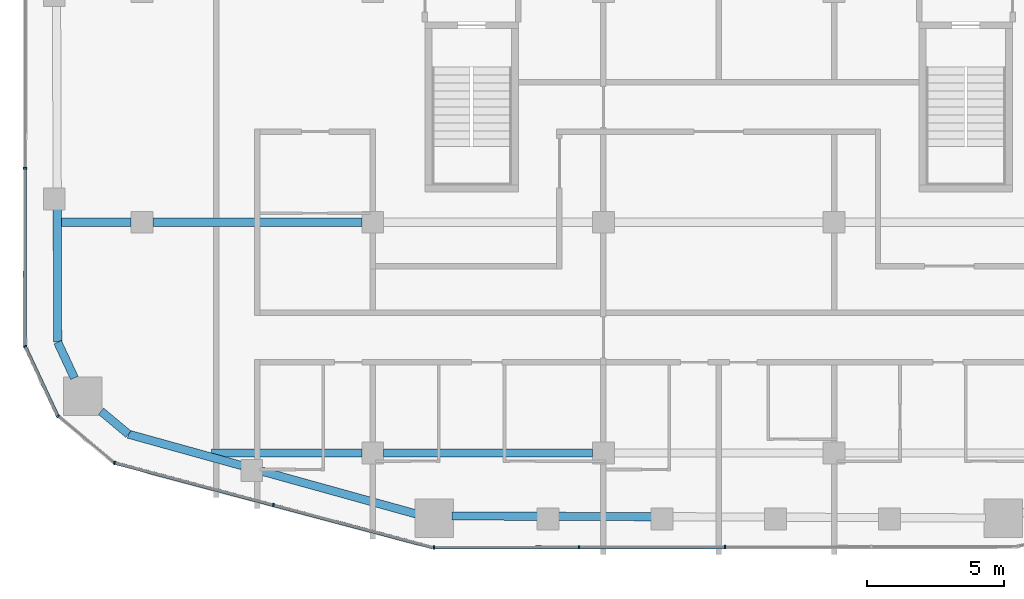
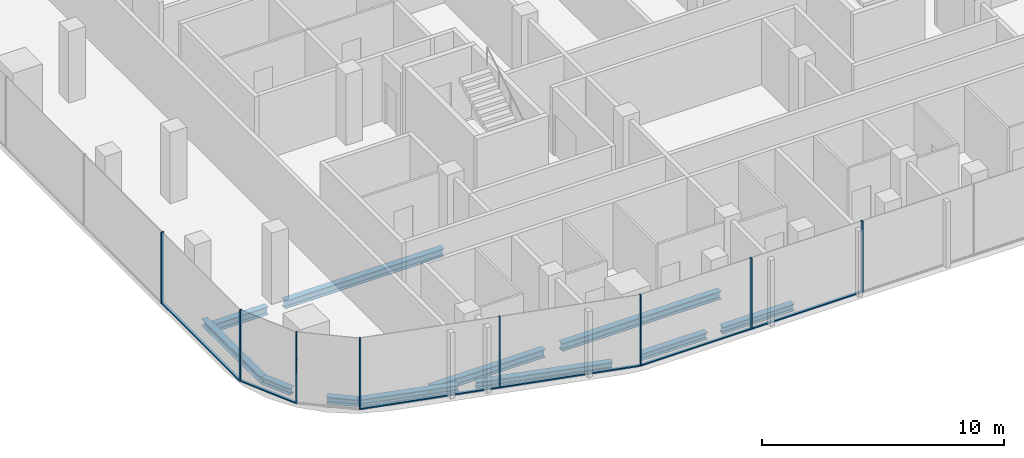
# One storey, part 2 of 20: 14 members, 11 beams, 5 elements without a shape of their own.
"""IFC4 building model written with IfcOpenShell, lengths in metres."""

import ifcopenshell
import ifcopenshell.guid

model = None  # the IFC model being written
_history = None  # IfcOwnerHistory: only IFC2X3 demands one
_inside = {}  # id of a spatial element -> (the spatial element, [elements in it])
_under = {}  # id of a project, library or spatial element -> (it, [spatial elements below it])
_declared = {}  # id of a project -> (the project, [libraries it declares])
_typed = {}  # id of a type object -> (the type object, [elements of that type])
_made_of = {}  # id of a material, layer set ... -> (it, [elements and type objects made of it])


def new_model(schema):
    """Start an empty IFC model of exactly this schema.

    Asked for "IFC4X3", IfcOpenShell would pick the latest addendum, in which some entities
    have other attributes; the version numbers below select the first issue.
    IFC2X3 requires an IfcOwnerHistory on every rooted entity: one is made here for all.
    """
    global model, _history
    if schema == "IFC4X3":
        model = ifcopenshell.file(schema_version=(4, 3, 0, 0))
    else:
        model = ifcopenshell.file(schema=schema)
    _inside.clear()
    _under.clear()
    _declared.clear()
    _typed.clear()
    _made_of.clear()
    _history = None
    if model.schema == "IFC2X3":
        org = make("IfcOrganization", Name="unknown")
        user = make(
            "IfcPersonAndOrganization",
            ThePerson=make("IfcPerson", FamilyName="unknown"),
            TheOrganization=org,
        )
        app = make(
            "IfcApplication",
            ApplicationDeveloper=org,
            Version="unknown",
            ApplicationFullName="unknown",
            ApplicationIdentifier="unknown",
        )
        _history = make(
            "IfcOwnerHistory",
            OwningUser=user,
            OwningApplication=app,
            ChangeAction="ADDED",
            CreationDate=0,
        )
    return model


def make(cls, **values):
    """One entity of the class cls with the attributes given. An attribute that is None is left unset."""
    return model.create_entity(
        cls, **{name: value for name, value in values.items() if value is not None}
    )


def rooted(cls, **values):
    """An entity with a GlobalId (a new one), such as an element, a storey or a relation."""
    return make(cls, GlobalId=ifcopenshell.guid.new(), OwnerHistory=_history, **values)


def si_unit(unit_type, name, prefix=None):
    """IfcSIUnit, for example si_unit("LENGTHUNIT", "METRE", prefix="MILLI")."""
    return make("IfcSIUnit", UnitType=unit_type, Prefix=prefix, Name=name)


def assignment(units):
    """IfcUnitAssignment: the units of a project."""
    return None if units is None else make("IfcUnitAssignment", Units=units)


def point(xyz):
    """IfcCartesianPoint."""
    return None if xyz is None else make("IfcCartesianPoint", Coordinates=xyz)


def direction(xyz):
    """IfcDirection."""
    return None if xyz is None else make("IfcDirection", DirectionRatios=xyz)


def frame(location, z_axis=None, x_axis=None):
    """IfcAxis2Placement3D, a coordinate frame: its origin and axes. An axis left out is left unset."""
    return make(
        "IfcAxis2Placement3D",
        Location=point(location),
        Axis=direction(z_axis),
        RefDirection=direction(x_axis),
    )


def frame_2d(location, x_axis=None):
    """IfcAxis2Placement2D, a coordinate frame in the plane: its origin and x axis."""
    return make(
        "IfcAxis2Placement2D", Location=point(location), RefDirection=direction(x_axis)
    )


def origin():
    """The frame at (0, 0, 0) with its axes left unset."""
    return frame((0.0, 0.0, 0.0))


def origin_2d():
    """The frame at (0, 0) in the plane with its x axis left unset."""
    return frame_2d((0.0, 0.0))


def place(relative_to, where):
    """IfcLocalPlacement: puts the frame where relative to a parent placement (None: the world)."""
    return make(
        "IfcLocalPlacement", PlacementRelTo=relative_to, RelativePlacement=where
    )


def context(
    kind, dimensions, precision=None, world=None, true_north=None, identifier=None
):
    """IfcGeometricRepresentationContext, for example the 3D "Model" context."""
    return make(
        "IfcGeometricRepresentationContext",
        ContextIdentifier=identifier,
        ContextType=kind,
        CoordinateSpaceDimension=dimensions,
        Precision=precision,
        WorldCoordinateSystem=world,
        TrueNorth=true_north,
    )


def subcontext(parent, identifier, kind, view, scale=None):
    """IfcGeometricRepresentationSubContext, for example "Body" below "Model"."""
    return make(
        "IfcGeometricRepresentationSubContext",
        ContextIdentifier=identifier,
        ContextType=kind,
        ParentContext=parent,
        TargetScale=scale,
        TargetView=view,
    )


def project(units=None, contexts=None):
    """IfcProject with its units and contexts."""
    return rooted(
        "IfcProject",
        Name="project",
        RepresentationContexts=contexts,
        UnitsInContext=assignment(units),
    )


def spatial(cls, under=None, at=None, **own):
    """A site, building, storey or space (cls), placed at a placement, below another one or the project."""
    s = rooted(cls, ObjectPlacement=at, **own)
    if under is not None:
        _under.setdefault(under.id(), (under, []))[1].append(s)
    return s


def profile(cls, at=None, kind="AREA", **sizes):
    """A parametric profile (cls). Its sizes go by their IFC names, for example OverallWidth=200.0."""
    return make(cls, ProfileType=kind, Position=at, **sizes)


def rectangle(**sizes):
    """IfcRectangleProfileDef."""
    return profile("IfcRectangleProfileDef", **sizes)


def i_section(**sizes):
    """IfcIShapeProfileDef."""
    return profile("IfcIShapeProfileDef", **sizes)


def extrude(swept, where, along, depth):
    """IfcExtrudedAreaSolid: the profile swept, set in the frame where, extruded along a direction by depth."""
    return make(
        "IfcExtrudedAreaSolid",
        SweptArea=swept,
        Position=where,
        ExtrudedDirection=direction(along),
        Depth=depth,
    )


def shape(context_of_items, identifier, shape_type, items):
    """IfcShapeRepresentation: the items that make up one representation, for example the "Body"."""
    return make(
        "IfcShapeRepresentation",
        ContextOfItems=context_of_items,
        RepresentationIdentifier=identifier,
        RepresentationType=shape_type,
        Items=items,
    )


def material(Name=None, Category=None):
    """IfcMaterial."""
    return make("IfcMaterial", Name=Name, Category=Category)


def layer(
    of_material, thickness, ventilated=None, Name=None, Category=None, Priority=None
):
    """IfcMaterialLayer: one layer of a wall or slab, of a material (None: an air gap)."""
    return make(
        "IfcMaterialLayer",
        Material=of_material,
        LayerThickness=thickness,
        IsVentilated=ventilated,
        Name=Name,
        Category=Category,
        Priority=Priority,
    )


def layer_set(layers, Name=None):
    """IfcMaterialLayerSet."""
    return make("IfcMaterialLayerSet", MaterialLayers=layers, LayerSetName=Name)


def material_profile(
    of_material, cross_section, Name=None, Category=None, Priority=None
):
    """IfcMaterialProfile: a cross section and its material."""
    return make(
        "IfcMaterialProfile",
        Name=Name,
        Material=of_material,
        Profile=cross_section,
        Priority=Priority,
        Category=Category,
    )


def profile_set(profiles, Name=None, composite=None):
    """IfcMaterialProfileSet."""
    return make(
        "IfcMaterialProfileSet",
        Name=Name,
        MaterialProfiles=profiles,
        CompositeProfile=composite,
    )


def made_of(thing, what):
    """Note that an element or type object is made of a material, layer set ...; save() writes the relation."""
    if what is not None:
        _made_of.setdefault(what.id(), (what, []))[1].append(thing)
    return thing


def type_object(cls, material=None, **own):
    """A type object (cls), such as IfcWallType, which elements share."""
    return made_of(rooted(cls, **own), material)


def element(
    cls,
    number,
    at=None,
    inside=None,
    cuts=None,
    type_object=None,
    material=None,
    context=None,
    identifier="Body",
    shape_type=None,
    held_by="IfcProductDefinitionShape",
    body=None,
    shapes=None,
    **own,
):
    """One element of the class cls, such as IfcWall. Its Tag is "e" and its number.

    at: its placement. inside: the storey or other place that contains it. cuts: it is an
    opening in that element (IfcRelVoidsElement). A single representation is given by context,
    identifier, shape_type and body (its items); several are given by shapes. held_by: the class
    of the entity that holds the representations. save() writes the other relations.
    """
    e = rooted(cls, Tag="e%d" % number, ObjectPlacement=at, **own)
    if body is not None:
        shapes = [shape(context, identifier, shape_type, body)]
    if shapes is not None:
        e.Representation = make(held_by, Representations=shapes)
    if inside is not None:
        _inside.setdefault(inside.id(), (inside, []))[1].append(e)
    if cuts is not None:
        rooted(
            "IfcRelVoidsElement", RelatingBuildingElement=cuts, RelatedOpeningElement=e
        )
    if type_object is not None:
        _typed.setdefault(type_object.id(), (type_object, []))[1].append(e)
    return made_of(e, material)


def aggregate(whole, parts):
    """IfcRelAggregates: a whole, such as a stair, and the parts it consists of."""
    return rooted("IfcRelAggregates", RelatingObject=whole, RelatedObjects=parts)


def save(model, path):
    """Write the relations noted so far, then the file.

    IfcRelAggregates (storeys below a building ...), IfcRelContainedInSpatialStructure (elements
    in a storey), IfcRelDefinesByType, IfcRelAssociatesMaterial and IfcRelDeclares: one each for
    every whole, place, type object, material and project.
    """
    for whole, parts in _under.values():
        aggregate(whole, parts)
    for where, things in _inside.values():
        rooted(
            "IfcRelContainedInSpatialStructure",
            RelatedElements=things,
            RelatingStructure=where,
        )
    for kind, things in _typed.values():
        rooted("IfcRelDefinesByType", RelatedObjects=things, RelatingType=kind)
    for what, things in _made_of.values():
        rooted("IfcRelAssociatesMaterial", RelatedObjects=things, RelatingMaterial=what)
    for by, libraries in _declared.values():
        rooted("IfcRelDeclares", RelatingContext=by, RelatedDefinitions=libraries)
    model.write(path)


model = new_model("IFC4")

# Units and contexts
model_context = context("Model", 3, precision=1e-05, world=origin(), true_north=direction((0.0, 1.0)))
body_context = subcontext(model_context, "Body", "Model", "MODEL_VIEW")
ifc_project = project(units=[si_unit("LENGTHUNIT", "METRE"), si_unit("AREAUNIT", "SQUARE_METRE"), si_unit("VOLUMEUNIT", "CUBIC_METRE"), si_unit("PLANEANGLEUNIT", "RADIAN"), si_unit("MASSUNIT", "GRAM", prefix="KILO")], contexts=[model_context])

# Site, building, storey
site_placement = place(None, origin())
site = spatial("IfcSite", under=ifc_project, at=site_placement, CompositionType="ELEMENT")
building_placement = place(site_placement, origin())
building = spatial("IfcBuilding", under=site, at=building_placement, Name="Marenta Gate Hotel Tower", CompositionType="ELEMENT")
storey_placement = place(building_placement, frame((0.0, 0.0, 216.5)))
storey = spatial("IfcBuildingStorey", under=building, at=storey_placement, Name="L50", CompositionType="ELEMENT", Elevation=216.5)

# Beams
ifc_material_1 = material(Name="Steel S355", Category="steel")
ifc_material_profile_1 = material_profile(ifc_material_1, i_section(OverallWidth=0.300048828125, OverallDepth=0.340087890625, WebThickness=0.011962890625, FlangeThickness=0.021484375, FilletRadius=0.027099609375, at=origin_2d()), Name="HEB 340")
ifc_profile_set_1 = profile_set([ifc_material_profile_1], Name="Steel S355")
beam_type_1 = type_object("IfcBeamType", Name="Edge beam HEB 340", PredefinedType="SPANDREL", material=ifc_profile_set_1)
beam_1_placement = place(storey_placement, frame((-11.02783203125, -27.42236328125, -0.429931640625), z_axis=(-0.963619240724, 0.267278803699, 0.0), x_axis=(-0.267278803699, -0.963619240724, 0.0)))
element("IfcBeam", 1, at=beam_1_placement, inside=storey, type_object=beam_type_1, Name="L50-EB-1", PredefinedType="SPANDREL", context=body_context, shape_type="SweptSolid", body=[
    extrude(i_section(OverallWidth=0.300048828125, OverallDepth=0.340087890625, WebThickness=0.011962890625, FlangeThickness=0.021484375, FilletRadius=0.027099609375, at=origin_2d()), origin(), (0.0, 0.0, 1.0), 5.82958984375),
])
beam_2_placement = place(storey_placement, frame((-17.3681640625, -25.663818359375, -0.429931640625), z_axis=(-0.963628037304, 0.267247087396, 0.0), x_axis=(-0.267247087396, -0.963628037304, 0.0)))
element("IfcBeam", 2, at=beam_2_placement, inside=storey, type_object=beam_type_1, Name="L50-EB-2", PredefinedType="SPANDREL", context=body_context, shape_type="SweptSolid", body=[
    extrude(i_section(OverallWidth=0.300048828125, OverallDepth=0.340087890625, WebThickness=0.011962890625, FlangeThickness=0.021484375, FilletRadius=0.027099609375, at=origin_2d()), origin(), (0.0, 0.0, 1.0), 4.284423828125),
])
beam_3_placement = place(storey_placement, frame((-21.496826171875, -24.518798828125, -0.429931640625), z_axis=(-0.767065103149, 0.641569269472, 0.0), x_axis=(-0.641569269472, -0.767065103149, 0.0)))
element("IfcBeam", 3, at=beam_3_placement, inside=storey, type_object=beam_type_1, Name="L50-EB-3", PredefinedType="SPANDREL", context=body_context, shape_type="SweptSolid", body=[
    extrude(i_section(OverallWidth=0.300048828125, OverallDepth=0.340087890625, WebThickness=0.011962890625, FlangeThickness=0.021484375, FilletRadius=0.027099609375, at=origin_2d()), origin(), (0.0, 0.0, 1.0), 1.299560546875),
])
beam_4_placement = place(storey_placement, frame((-23.466796875, -22.46923828125, -0.429931640625), z_axis=(-0.423341112024, 0.905970365338, 0.0), x_axis=(-0.905970365338, -0.423341112024, 0.0)))
element("IfcBeam", 4, at=beam_4_placement, inside=storey, type_object=beam_type_1, Name="L50-EB-4", PredefinedType="SPANDREL", context=body_context, shape_type="SweptSolid", body=[
    extrude(i_section(OverallWidth=0.300048828125, OverallDepth=0.340087890625, WebThickness=0.011962890625, FlangeThickness=0.021484375, FilletRadius=0.027099609375, at=origin_2d()), origin(), (0.0, 0.0, 1.0), 1.437255859375),
])
beam_5_placement = place(storey_placement, frame((-24.0751953125, -21.167236328125, -0.429931640625), z_axis=(-0.003318732666, 0.999994492992, 0.0), x_axis=(-0.999994492992, -0.003318732666, 0.0)))
element("IfcBeam", 5, at=beam_5_placement, inside=storey, type_object=beam_type_1, Name="L50-EB-5", PredefinedType="SPANDREL", context=body_context, shape_type="SweptSolid", body=[
    extrude(i_section(OverallWidth=0.300048828125, OverallDepth=0.340087890625, WebThickness=0.011962890625, FlangeThickness=0.021484375, FilletRadius=0.027099609375, at=origin_2d()), origin(), (0.0, 0.0, 1.0), 4.855224609375),
])
beam_6_placement = place(storey_placement, frame((-2.433349609375, -27.5234375, -0.429931640625), z_axis=(-0.999992599416, 0.003847221457, 0.0), x_axis=(-0.003847221457, -0.999992599416, 0.0)))
element("IfcBeam", 6, at=beam_6_placement, inside=storey, type_object=beam_type_1, Name="L50-EB-35", PredefinedType="SPANDREL", context=body_context, shape_type="SweptSolid", body=[
    extrude(i_section(OverallWidth=0.300048828125, OverallDepth=0.340087890625, WebThickness=0.011962890625, FlangeThickness=0.021484375, FilletRadius=0.027099609375, at=origin_2d()), origin(), (0.0, 0.0, 1.0), 3.4267578125),
])
beam_7_placement = place(storey_placement, frame((-6.580078125, -27.507568359375, -0.429931640625), z_axis=(-0.99999237665, 0.00390469495, 0.0), x_axis=(-0.00390469495, -0.99999237665, 0.0)))
element("IfcBeam", 7, at=beam_7_placement, inside=storey, type_object=beam_type_1, Name="L50-EB-36", PredefinedType="SPANDREL", context=body_context, shape_type="SweptSolid", body=[
    extrude(i_section(OverallWidth=0.300048828125, OverallDepth=0.340087890625, WebThickness=0.011962890625, FlangeThickness=0.021484375, FilletRadius=0.027099609375, at=origin_2d()), origin(), (0.0, 0.0, 1.0), 3.126220703125),
])
ifc_material_2 = material(Name="Steel S355", Category="steel")
ifc_material_profile_2 = material_profile(ifc_material_2, i_section(OverallWidth=0.300048828125, OverallDepth=0.39990234375, WebThickness=0.013427734375, FlangeThickness=0.02392578125, FilletRadius=0.027099609375, at=origin_2d()), Name="HEB 400")
ifc_profile_set_2 = profile_set([ifc_material_profile_2], Name="Steel S355")
beam_type_2 = type_object("IfcBeamType", Name="Girder HEB 400", PredefinedType="BEAM", material=ifc_profile_set_2)
beam_8_placement = place(storey_placement, frame((-18.479248046875, -25.199951171875, -0.4599609375), z_axis=(1.0, 0.0, 0.0), x_axis=(0.0, 1.0, 0.0)))
element("IfcBeam", 8, at=beam_8_placement, inside=storey, type_object=beam_type_2, Name="L50-GD-1", PredefinedType="BEAM", context=body_context, shape_type="SweptSolid", body=[
    extrude(i_section(OverallWidth=0.300048828125, OverallDepth=0.39990234375, WebThickness=0.013427734375, FlangeThickness=0.02392578125, FilletRadius=0.027099609375, at=origin_2d()), origin(), (0.0, 0.0, 1.0), 5.479248046875),
])
beam_9_placement = place(storey_placement, frame((-12.199951171875, -25.199951171875, -0.4599609375), z_axis=(1.0, 0.0, 0.0), x_axis=(0.0, 1.0, 0.0)))
element("IfcBeam", 9, at=beam_9_placement, inside=storey, type_object=beam_type_2, Name="L50-GD-2", PredefinedType="BEAM", context=body_context, shape_type="SweptSolid", body=[
    extrude(i_section(OverallWidth=0.300048828125, OverallDepth=0.39990234375, WebThickness=0.013427734375, FlangeThickness=0.02392578125, FilletRadius=0.027099609375, at=origin_2d()), origin(), (0.0, 0.0, 1.0), 7.599853515625),
])
beam_10_placement = place(storey_placement, frame((-23.939697265625, -16.800048828125, -0.4599609375), z_axis=(1.0, 0.0, 0.0), x_axis=(0.0, 1.0, 0.0)))
element("IfcBeam", 10, at=beam_10_placement, inside=storey, type_object=beam_type_2, Name="L50-GD-6", PredefinedType="BEAM", context=body_context, shape_type="SweptSolid", body=[
    extrude(i_section(OverallWidth=0.300048828125, OverallDepth=0.39990234375, WebThickness=0.013427734375, FlangeThickness=0.02392578125, FilletRadius=0.027099609375, at=origin_2d()), origin(), (0.0, 0.0, 1.0), 2.539794921875),
])
beam_11_placement = place(storey_placement, frame((-20.60009765625, -16.800048828125, -0.4599609375), z_axis=(1.0, 0.0, 0.0), x_axis=(0.0, 1.0, 0.0)))
element("IfcBeam", 11, at=beam_11_placement, inside=storey, type_object=beam_type_2, Name="L50-GD-7", PredefinedType="BEAM", context=body_context, shape_type="SweptSolid", body=[
    extrude(i_section(OverallWidth=0.300048828125, OverallDepth=0.39990234375, WebThickness=0.013427734375, FlangeThickness=0.02392578125, FilletRadius=0.027099609375, at=origin_2d()), origin(), (0.0, 0.0, 1.0), 7.60009765625),
])

# Curtain wall, member
ifc_material_3 = material(Name="Tinted insulated glass in bronze anodised frame", Category="glass")
ifc_layer = layer(ifc_material_3, 0.1201171875)
ifc_layer_set = layer_set([ifc_layer], Name="Tinted insulated glass in bronze anodised frame")
curtain_wall_type = type_object("IfcCurtainWallType", Name="Tower unitised curtain wall CW1", PredefinedType="NOTDEFINED", material=ifc_layer_set)
curtain_wall_1_placement = place(storey_placement, origin())
curtain_wall_1 = element("IfcCurtainWall", 12, at=curtain_wall_1_placement, inside=storey, type_object=curtain_wall_type, Name="CW1 run G03", PredefinedType="NOTDEFINED")
ifc_material_4 = material(Name="Bronze anodised aluminium", Category="aluminium")
ifc_material_profile_3 = material_profile(ifc_material_4, rectangle(XDim=0.1201171875, YDim=0.06005859375, at=origin_2d()), Name="Mullion CW1 60x120 bronze anodised aluminium")
ifc_profile_set_3 = profile_set([ifc_material_profile_3], Name="Bronze anodised aluminium")
member_type_1 = type_object("IfcMemberType", Name="Mullion CW1 60x120 bronze anodised aluminium", PredefinedType="MULLION", material=ifc_profile_set_3)
member_1_placement = place(storey_placement, frame((-25.262939453125, -14.833740234375, 0.0), z_axis=(0.0, 0.0, 1.0), x_axis=(0.99999877375, -0.001566045546, 0.0)))
member_1 = element("IfcMember", 13, at=member_1_placement, type_object=member_type_1, Name="CW1 mullion 6", PredefinedType="MULLION", context=body_context, shape_type="SweptSolid", body=[
    extrude(rectangle(XDim=0.1201171875, YDim=0.06005859375, at=origin_2d()), origin(), (0.0, 0.0, 1.0), 3.60009765625),
])

curtain_wall_2_placement = place(storey_placement, origin())
curtain_wall_2 = element("IfcCurtainWall", 14, at=curtain_wall_2_placement, inside=storey, type_object=curtain_wall_type, Name="CW1 run G04", PredefinedType="NOTDEFINED")
member_2_placement = place(storey_placement, frame((-25.26025390625, -21.321044921875, 0.0), z_axis=(0.0, 0.0, 1.0), x_axis=(0.905972194447, 0.42333719762, 0.0)))
member_2 = element("IfcMember", 15, at=member_2_placement, type_object=member_type_1, Name="CW1 mullion 1", PredefinedType="MULLION", context=body_context, shape_type="SweptSolid", body=[
    extrude(rectangle(XDim=0.1201171875, YDim=0.06005859375, at=origin_2d()), origin(), (0.0, 0.0, 1.0), 3.60009765625),
])

curtain_wall_3_placement = place(storey_placement, origin())
curtain_wall_3 = element("IfcCurtainWall", 16, at=curtain_wall_3_placement, inside=storey, type_object=curtain_wall_type, Name="CW1 run G05", PredefinedType="NOTDEFINED")
member_3_placement = place(storey_placement, frame((-24.059814453125, -23.85986328125, 0.0), z_axis=(0.0, 0.0, 1.0), x_axis=(0.641524739495, 0.767102345594, 0.0)))
member_3 = element("IfcMember", 17, at=member_3_placement, type_object=member_type_1, Name="CW1 mullion 1", PredefinedType="MULLION", context=body_context, shape_type="SweptSolid", body=[
    extrude(rectangle(XDim=0.1201171875, YDim=0.06005859375, at=origin_2d()), origin(), (0.0, 0.0, 1.0), 3.60009765625),
])
aggregate(curtain_wall_3, [member_3])

# Curtain wall, members
curtain_wall_4_placement = place(storey_placement, origin())
curtain_wall_4 = element("IfcCurtainWall", 18, at=curtain_wall_4_placement, inside=storey, type_object=curtain_wall_type, Name="CW1 run G06", PredefinedType="NOTDEFINED")
member_4_placement = place(storey_placement, frame((-22.00634765625, -25.560791015625, 0.0), z_axis=(0.0, 0.0, 1.0), x_axis=(0.257139197271, 0.966374375295, 0.0)))
member_4 = element("IfcMember", 19, at=member_4_placement, type_object=member_type_1, Name="CW1 mullion 1", PredefinedType="MULLION", context=body_context, shape_type="SweptSolid", body=[
    extrude(rectangle(XDim=0.1201171875, YDim=0.06005859375, at=origin_2d()), origin(), (0.0, 0.0, 1.0), 3.60009765625),
])
member_5_placement = place(storey_placement, frame((-16.220703125, -27.100341796875, 0.0), z_axis=(0.0, 0.0, 1.0), x_axis=(0.257139197271, 0.966374375295, 0.0)))
member_5 = element("IfcMember", 20, at=member_5_placement, type_object=member_type_1, Name="CW1 mullion 2", PredefinedType="MULLION", context=body_context, shape_type="SweptSolid", body=[
    extrude(rectangle(XDim=0.1201171875, YDim=0.06005859375, at=origin_2d()), origin(), (0.0, 0.0, 1.0), 3.60009765625),
])

curtain_wall_5_placement = place(storey_placement, origin())
curtain_wall_5 = element("IfcCurtainWall", 21, at=curtain_wall_5_placement, inside=storey, type_object=curtain_wall_type, Name="CW1 run G07", PredefinedType="NOTDEFINED")
member_6_placement = place(storey_placement, frame((-10.3759765625, -28.6474609375, 0.0), z_axis=(0.0, 0.0, 1.0), x_axis=(-0.001644757804, 0.999998647385, 0.0)))
member_6 = element("IfcMember", 22, at=member_6_placement, type_object=member_type_1, Name="CW1 mullion 1", PredefinedType="MULLION", context=body_context, shape_type="SweptSolid", body=[
    extrude(rectangle(XDim=0.1201171875, YDim=0.06005859375, at=origin_2d()), origin(), (0.0, 0.0, 1.0), 3.60009765625),
])
member_7_placement = place(storey_placement, frame((-5.086181640625, -28.638671875, 0.0), z_axis=(0.0, 0.0, 1.0), x_axis=(-0.001644757804, 0.999998647385, 0.0)))
member_7 = element("IfcMember", 23, at=member_7_placement, type_object=member_type_1, Name="CW1 mullion 2", PredefinedType="MULLION", context=body_context, shape_type="SweptSolid", body=[
    extrude(rectangle(XDim=0.1201171875, YDim=0.06005859375, at=origin_2d()), origin(), (0.0, 0.0, 1.0), 3.60009765625),
])
member_8_placement = place(storey_placement, frame((0.23388671875, -28.6298828125, 0.0), z_axis=(0.0, 0.0, 1.0), x_axis=(-0.001644757804, 0.999998647385, 0.0)))
member_8 = element("IfcMember", 24, at=member_8_placement, type_object=member_type_1, Name="CW1 mullion 3", PredefinedType="MULLION", context=body_context, shape_type="SweptSolid", body=[
    extrude(rectangle(XDim=0.1201171875, YDim=0.06005859375, at=origin_2d()), origin(), (0.0, 0.0, 1.0), 3.60009765625),
])

# Member
ifc_material_5 = material(Name="Bronze anodised aluminium", Category="aluminium")
ifc_material_profile_4 = material_profile(ifc_material_5, rectangle(XDim=0.1201171875, YDim=0.06005859375, at=origin_2d()), Name="Transom CW1 60x120 bronze anodised aluminium")
ifc_profile_set_4 = profile_set([ifc_material_profile_4], Name="Bronze anodised aluminium")
member_type_2 = type_object("IfcMemberType", Name="Transom CW1 60x120 bronze anodised aluminium", PredefinedType="USERDEFINED", material=ifc_profile_set_4)
member_9_placement = place(storey_placement, frame((-25.262939453125, -14.86376953125, 0.030029296875), z_axis=(-0.001556743377, -0.999998788274, 0.0), x_axis=(0.999998788274, -0.001556743377, 0.0)))
member_9 = element("IfcMember", 25, at=member_9_placement, type_object=member_type_2, Name="CW1 transom 6.1", ObjectType="TRANSOM", PredefinedType="USERDEFINED", context=body_context, shape_type="SweptSolid", body=[
    extrude(rectangle(XDim=0.1201171875, YDim=0.06005859375, at=origin_2d()), origin(), (0.0, 0.0, 1.0), 6.429931640625),
])

aggregate(curtain_wall_1, [member_1, member_9])

member_10_placement = place(storey_placement, frame((-25.24755859375, -21.34814453125, 0.030029296875), z_axis=(0.423274054321, -0.906001696984, 0.0), x_axis=(0.906001696984, 0.423274054321, 0.0)))
member_10 = element("IfcMember", 26, at=member_10_placement, type_object=member_type_2, Name="CW1 transom 1.1", ObjectType="TRANSOM", PredefinedType="USERDEFINED", context=body_context, shape_type="SweptSolid", body=[
    extrude(rectangle(XDim=0.1201171875, YDim=0.06005859375, at=origin_2d()), origin(), (0.0, 0.0, 1.0), 2.751220703125),
])

aggregate(curtain_wall_2, [member_2, member_10])

member_11_placement = place(storey_placement, frame((-21.977294921875, -25.568603515625, 0.030029296875), z_axis=(0.966378365457, -0.257124201073, 0.0), x_axis=(0.257124201073, 0.966378365457, 0.0)))
member_11 = element("IfcMember", 27, at=member_11_placement, type_object=member_type_2, Name="CW1 transom 1.1", ObjectType="TRANSOM", PredefinedType="USERDEFINED", context=body_context, shape_type="SweptSolid", body=[
    extrude(rectangle(XDim=0.1201171875, YDim=0.06005859375, at=origin_2d()), origin(), (0.0, 0.0, 1.0), 5.9267578125),
])

member_12_placement = place(storey_placement, frame((-16.191650390625, -27.10791015625, 0.030029296875), z_axis=(0.966371521912, -0.257149920549, 0.0), x_axis=(0.257149920549, 0.966371521912, 0.0)))
member_12 = element("IfcMember", 28, at=member_12_placement, type_object=member_type_2, Name="CW1 transom 2.1", ObjectType="TRANSOM", PredefinedType="USERDEFINED", context=body_context, shape_type="SweptSolid", body=[
    extrude(rectangle(XDim=0.1201171875, YDim=0.06005859375, at=origin_2d()), origin(), (0.0, 0.0, 1.0), 5.987060546875),
])

aggregate(curtain_wall_4, [member_4, member_5, member_11, member_12])

member_13_placement = place(storey_placement, frame((-10.345947265625, -28.6474609375, 0.030029296875), z_axis=(0.999998665295, 0.001633832195, 0.0), x_axis=(-0.001633832195, 0.999998665295, 0.0)))
member_13 = element("IfcMember", 29, at=member_13_placement, type_object=member_type_2, Name="CW1 transom 1.1", ObjectType="TRANSOM", PredefinedType="USERDEFINED", context=body_context, shape_type="SweptSolid", body=[
    extrude(rectangle(XDim=0.1201171875, YDim=0.06005859375, at=origin_2d()), origin(), (0.0, 0.0, 1.0), 5.22998046875),
])

member_14_placement = place(storey_placement, frame((-5.05615234375, -28.638671875, 0.030029296875), z_axis=(0.999998680491, 0.001624504703, 0.0), x_axis=(-0.001624504703, 0.999998680491, 0.0)))
member_14 = element("IfcMember", 30, at=member_14_placement, type_object=member_type_2, Name="CW1 transom 2.1", ObjectType="TRANSOM", PredefinedType="USERDEFINED", context=body_context, shape_type="SweptSolid", body=[
    extrude(rectangle(XDim=0.1201171875, YDim=0.06005859375, at=origin_2d()), origin(), (0.0, 0.0, 1.0), 5.260009765625),
])

aggregate(curtain_wall_5, [member_6, member_7, member_8, member_13, member_14])

save(model, "model.ifc")
